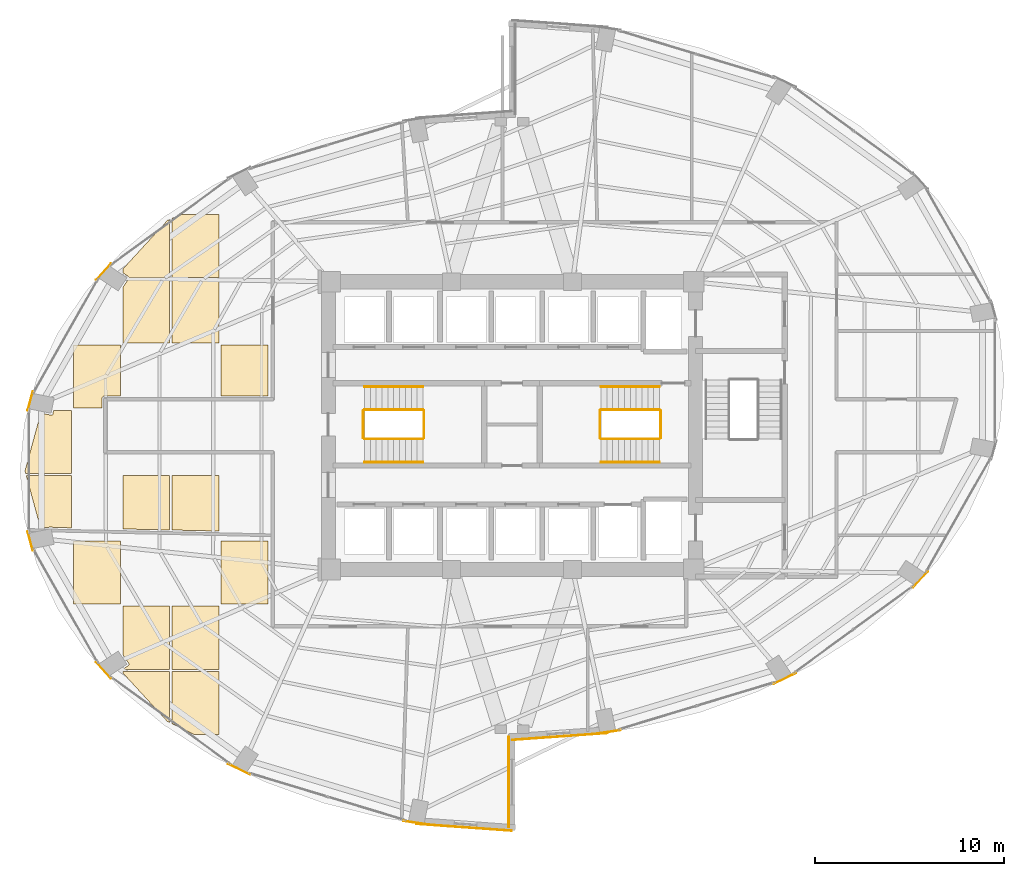
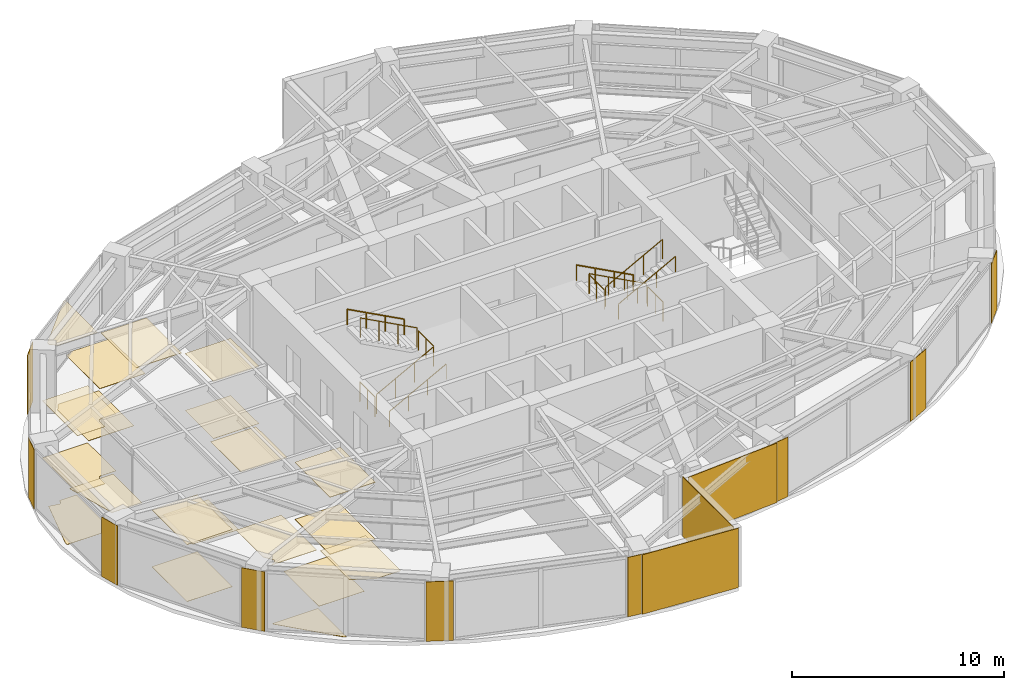
# One storey, part 22 of 23: 32 coverings, 12 railings.
"""IFC4 building model written with IfcOpenShell, lengths in metres."""

from ifc_helpers import new_model, si_unit, direction, frame, origin, origin_2d, place, context, subcontext, project, spatial, polyline, rectangle, circle, outline, extrude, material, layer, layer_set, type_object, element, save


model = new_model("IFC4")

# Units and contexts
model_context = context("Model", 3, precision=1e-05, world=origin(), true_north=direction((0.0, 1.0)))
body_context = subcontext(model_context, "Body", "Model", "MODEL_VIEW")
ifc_project = project(units=[si_unit("LENGTHUNIT", "METRE"), si_unit("AREAUNIT", "SQUARE_METRE"), si_unit("VOLUMEUNIT", "CUBIC_METRE"), si_unit("PLANEANGLEUNIT", "RADIAN"), si_unit("MASSUNIT", "GRAM", prefix="KILO")], contexts=[model_context])

# Site, building, storey
site_placement = place(None, origin())
site = spatial("IfcSite", under=ifc_project, at=site_placement, CompositionType="ELEMENT")
building_placement = place(site_placement, origin())
building = spatial("IfcBuilding", under=site, at=building_placement, Name="Lazwardi Medical Tower", CompositionType="ELEMENT")
storey_placement = place(building_placement, frame((0.0, 0.0, 107.280029296875)))
storey = spatial("IfcBuildingStorey", under=building, at=storey_placement, Name="L27", CompositionType="ELEMENT", Elevation=107.280029296875)

# Coverings
ifc_material_1 = material(Name="Anodised bronze aluminium cassette cladding", Category="aluminium")
ifc_layer_1 = layer(ifc_material_1, 0.030029296875)
ifc_layer_set_1 = layer_set([ifc_layer_1], Name="Anodised bronze aluminium cassette cladding")
covering_type_1 = type_object("IfcCoveringType", Name="COV-CLD-BRZ", PredefinedType="CLADDING", material=ifc_layer_set_1)
covering_1_placement = place(storey_placement, frame((41.064208984375, 11.80322265625, 0.0), z_axis=(0.0, 0.0, 1.0), x_axis=(0.989609019093, 0.143784523955, 0.0)))
element("IfcCovering", 1, at=covering_1_placement, inside=storey, type_object=covering_type_1, Name="L27 Mega-column bronze cassette cover M01", PredefinedType="CLADDING", context=body_context, shape_type="SweptSolid", body=[
    extrude(rectangle(XDim=1.392333984375, YDim=0.030029296875, at=origin_2d()), origin(), (0.0, 0.0, 1.0), 3.427978515625),
])
covering_2_placement = place(storey_placement, frame((50.421875, 14.634521484375, 0.0), z_axis=(0.0, 0.0, 1.0), x_axis=(0.898679250201, 0.438606435495, 0.0)))
element("IfcCovering", 2, at=covering_2_placement, inside=storey, type_object=covering_type_1, Name="L27 Mega-column bronze cassette cover M02", PredefinedType="CLADDING", context=body_context, shape_type="SweptSolid", body=[
    extrude(rectangle(XDim=1.2998046875, YDim=0.030029296875, at=origin_2d()), origin(), (0.0, 0.0, 1.0), 3.427978515625),
])
for number, where, z_axis, x_axis, name in (
    (3, (57.583740234375, 19.86572265625, 0.0), (0.0, 0.0, 1.0), (0.674925949214, 0.737885467453, 0.0), "L27 Mega-column bronze cassette cover M03"),
    (4, (14.416259765625, 36.13427734375, 0.0), (0.0, 0.0, 1.0), (-0.674925949214, -0.737885467453, 0.0), "L27 Mega-column bronze cassette cover M11"),
):
    element("IfcCovering", number, at=place(storey_placement, frame(where, z_axis=z_axis, x_axis=x_axis)), inside=storey, type_object=covering_type_1, Name=name, PredefinedType="CLADDING", context=body_context, shape_type="SweptSolid", body=[
        extrude(rectangle(XDim=1.15625, YDim=0.030029296875, at=origin_2d()), origin(), (0.0, 0.0, 1.0), 3.427978515625),
    ])
for number, where, z_axis, x_axis, name in (
    (5, (10.540283203125, 29.299072265625, 0.0), (0.0, 0.0, 1.0), (-0.262696108164, -0.964878621774, 0.0), "L27 Mega-column bronze cassette cover M12"),
    (6, (10.540283203125, 21.90087890625, 0.0), (0.0, 0.0, 1.0), (0.262696108164, -0.964878621774, 0.0), "L27 Mega-column bronze cassette cover M13"),
):
    element("IfcCovering", number, at=place(storey_placement, frame(where, z_axis=z_axis, x_axis=x_axis)), inside=storey, type_object=covering_type_1, Name=name, PredefinedType="CLADDING", context=body_context, shape_type="SweptSolid", body=[
        extrude(rectangle(XDim=1.04296875, YDim=0.030029296875, at=origin_2d()), origin(), (0.0, 0.0, 1.0), 3.427978515625),
    ])
covering_3_placement = place(storey_placement, frame((14.416259765625, 15.06591796875, 0.0), z_axis=(0.0, 0.0, 1.0), x_axis=(0.674925949214, -0.737885467453, 0.0)))
element("IfcCovering", 7, at=covering_3_placement, inside=storey, type_object=covering_type_1, Name="L27 Mega-column bronze cassette cover M14", PredefinedType="CLADDING", context=body_context, shape_type="SweptSolid", body=[
    extrude(rectangle(XDim=1.15625, YDim=0.030029296875, at=origin_2d()), origin(), (0.0, 0.0, 1.0), 3.427978515625),
])
covering_4_placement = place(storey_placement, frame((21.578125, 9.83447265625, 0.0), z_axis=(0.0, 0.0, 1.0), x_axis=(0.898679250201, -0.438606435495, 0.0)))
element("IfcCovering", 8, at=covering_4_placement, inside=storey, type_object=covering_type_1, Name="L27 Mega-column bronze cassette cover M15", PredefinedType="CLADDING", context=body_context, shape_type="SweptSolid", body=[
    extrude(rectangle(XDim=1.2998046875, YDim=0.030029296875, at=origin_2d()), origin(), (0.0, 0.0, 1.0), 3.427978515625),
])
covering_5_placement = place(storey_placement, frame((30.935791015625, 7.00341796875, 0.0), z_axis=(0.0, 0.0, 1.0), x_axis=(0.989609019093, -0.143784523955, 0.0)))
element("IfcCovering", 9, at=covering_5_placement, inside=storey, type_object=covering_type_1, Name="L27 Mega-column bronze cassette cover M16", PredefinedType="CLADDING", context=body_context, shape_type="SweptSolid", body=[
    extrude(rectangle(XDim=1.392333984375, YDim=0.030029296875, at=origin_2d()), origin(), (0.0, 0.0, 1.0), 3.427978515625),
])
ifc_material_2 = material(Name="Turquoise glazed ceramic tilework cladding", Category="masonry")
ifc_layer_2 = layer(ifc_material_2, 0.034912109375)
ifc_layer_set_2 = layer_set([ifc_layer_2], Name="Turquoise glazed ceramic tilework cladding")
covering_type_2 = type_object("IfcCoveringType", Name="COV-CLD-TRQ", PredefinedType="CLADDING", material=ifc_layer_set_2)
covering_6_placement = place(storey_placement, frame((38.533203125, 11.56591796875, 0.0), z_axis=(0.0, 0.0, 1.0), x_axis=(0.997431665415, 0.07162452672, 0.0)))
element("IfcCovering", 10, at=covering_6_placement, inside=storey, type_object=covering_type_2, Name="L27 Turquoise glazed ceramic tilework cladding", PredefinedType="CLADDING", context=body_context, shape_type="SweptSolid", body=[
    extrude(rectangle(XDim=5.05419921875, YDim=0.034912109375, at=origin_2d()), origin(), (0.0, 0.0, 1.0), 3.427978515625),
])
covering_7_placement = place(storey_placement, frame((33.466552734375, 6.76611328125, 0.0), z_axis=(0.0, 0.0, 1.0), x_axis=(0.997431165357, -0.071631490105, 0.0)))
element("IfcCovering", 11, at=covering_7_placement, inside=storey, type_object=covering_type_2, Name="L27 Turquoise glazed ceramic tilework cladding", PredefinedType="CLADDING", context=body_context, shape_type="SweptSolid", body=[
    extrude(rectangle(XDim=5.0537109375, YDim=0.034912109375, at=origin_2d()), origin(), (0.0, 0.0, 1.0), 3.427978515625),
])
covering_8_placement = place(storey_placement, frame((35.824462890625, 9.159912109375, 0.0), z_axis=(0.0, 0.0, 1.0), x_axis=(0.0, 1.0, 0.0)))
element("IfcCovering", 12, at=covering_8_placement, inside=storey, type_object=covering_type_2, Name="L27 Turquoise glazed ceramic tilework iwan panel", PredefinedType="CLADDING", context=body_context, shape_type="SweptSolid", body=[
    extrude(rectangle(XDim=4.800048828125, YDim=0.034912109375, at=origin_2d()), origin(), (0.0, 0.0, 1.0), 3.427978515625),
])
ifc_material_3 = material(Name="Acoustic mineral fibre tile")
ifc_layer_3 = layer(ifc_material_3, 0.02490234375)
ifc_layer_set_3 = layer_set([ifc_layer_3], Name="Acoustic mineral fibre tile")
covering_type_3 = type_object("IfcCoveringType", Name="COV-CLG-01", PredefinedType="CEILING", material=ifc_layer_set_3)
covering_9_placement = place(storey_placement, frame((0.0, 0.0, 3.282958984375)))
element("IfcCovering", 13, at=covering_9_placement, inside=storey, type_object=covering_type_3, Name="L27 Clinical Acoustic Ceiling 1", PredefinedType="CEILING", context=body_context, shape_type="SweptSolid", body=[
    extrude(outline(polyline([(10.33056640625, 25.352294921875), (11.0732421875, 22.630859375), (11.49560546875, 22.62158203125), (11.643798828125, 22.651123046875), (11.6513671875, 22.652099609375), (11.6591796875, 22.652587890625), (11.6669921875, 22.652099609375), (11.6748046875, 22.651123046875), (11.682373046875, 22.649169921875), (11.689697265625, 22.646484375), (11.697021484375, 22.643310546875), (11.70361328125, 22.63916015625), (11.7099609375, 22.634521484375), (11.7158203125, 22.62939453125), (11.720947265625, 22.62353515625), (11.7255859375, 22.6171875), (11.72607421875, 22.61669921875), (12.712890625, 22.59521484375), (12.712890625, 25.352294921875), (10.33056640625, 25.352294921875)])), origin(), (0.0, 0.0, 1.0), 0.02490234375),
])
covering_10_placement = place(storey_placement, frame((0.0, 0.0, 3.282958984375)))
element("IfcCovering", 14, at=covering_10_placement, inside=storey, type_object=covering_type_3, Name="L27 Clinical Acoustic Ceiling 2", PredefinedType="CEILING", context=body_context, shape_type="SweptSolid", body=[
    extrude(outline(polyline([(15.31298828125, 18.572509765625), (15.31298828125, 21.90234375), (12.8330078125, 21.90234375), (12.8330078125, 18.572509765625), (15.31298828125, 18.572509765625)])), origin(), (0.0, 0.0, 1.0), 0.02490234375),
])
covering_11_placement = place(storey_placement, frame((0.0, 0.0, 3.282958984375)))
element("IfcCovering", 15, at=covering_11_placement, inside=storey, type_object=covering_type_3, Name="L27 Clinical Acoustic Ceiling 3", PredefinedType="CEILING", context=body_context, shape_type="SweptSolid", body=[
    extrude(outline(polyline([(14.324951171875, 28.92236328125), (14.324951171875, 29.39990234375), (14.3251953125, 29.404296875), (14.32568359375, 29.41357421875), (14.326416015625, 29.42041015625), (14.32763671875, 29.4296875), (14.3291015625, 29.43798828125), (14.33154296875, 29.447265625), (14.33349609375, 29.4541015625), (14.336669921875, 29.462890625), (14.340087890625, 29.470703125), (14.343994140625, 29.479248046875), (14.34765625, 29.486083984375), (14.352294921875, 29.493896484375), (14.35693359375, 29.500732421875), (14.362548828125, 29.50830078125), (14.3671875, 29.513916015625), (14.373291015625, 29.520751953125), (14.37939453125, 29.526611328125), (14.38623046875, 29.532958984375), (14.391845703125, 29.53759765625), (14.3994140625, 29.543212890625), (14.406005859375, 29.547607421875), (14.4140625, 29.552490234375), (14.4208984375, 29.555908203125), (14.42919921875, 29.56005859375), (14.43701171875, 29.563232421875), (14.44580078125, 29.56640625), (14.452880859375, 29.568603515625), (14.4619140625, 29.57080078125), (14.47021484375, 29.572509765625), (14.4794921875, 29.57373046875), (14.486328125, 29.574462890625), (14.49560546875, 29.574951171875), (14.5, 29.574951171875), (15.31298828125, 29.574951171875), (15.31298828125, 32.25244140625), (12.8330078125, 32.25244140625), (12.8330078125, 28.92236328125), (14.324951171875, 28.92236328125)])), origin(), (0.0, 0.0, 1.0), 0.02490234375),
])
covering_12_placement = place(storey_placement, frame((0.0, 0.0, 3.282958984375)))
element("IfcCovering", 16, at=covering_12_placement, inside=storey, type_object=covering_type_3, Name="L27 Clinical Acoustic Ceiling 4", PredefinedType="CEILING", context=body_context, shape_type="SweptSolid", body=[
    extrude(outline(polyline([(15.432861328125, 15.90087890625), (15.748779296875, 15.42822265625), (15.752685546875, 15.421630859375), (15.756103515625, 15.41455078125), (15.7587890625, 15.406982421875), (15.7607421875, 15.3994140625), (15.76171875, 15.3916015625), (15.76220703125, 15.3837890625), (15.76171875, 15.376220703125), (15.7607421875, 15.368408203125), (15.7587890625, 15.360595703125), (15.756103515625, 15.353271484375), (15.752685546875, 15.34619140625), (15.748779296875, 15.339599609375), (15.743896484375, 15.3330078125), (15.73876953125, 15.327392578125), (15.73291015625, 15.322021484375), (15.7265625, 15.3173828125), (15.434814453125, 15.122314453125), (17.912841796875, 15.122314453125), (17.912841796875, 18.452392578125), (15.432861328125, 18.452392578125), (15.432861328125, 15.90087890625)])), origin(), (0.0, 0.0, 1.0), 0.02490234375),
])
covering_13_placement = place(storey_placement, frame((0.0, 0.0, 3.282958984375)))
element("IfcCovering", 17, at=covering_13_placement, inside=storey, type_object=covering_type_3, Name="L27 Clinical Acoustic Ceiling 5", PredefinedType="CEILING", context=body_context, shape_type="SweptSolid", body=[
    extrude(outline(polyline([(17.912841796875, 38.901611328125), (17.791259765625, 38.84228515625), (15.432861328125, 36.27001953125), (15.432861328125, 36.078857421875), (15.7265625, 35.882568359375), (15.73291015625, 35.8779296875), (15.73876953125, 35.872802734375), (15.743896484375, 35.866943359375), (15.748779296875, 35.860595703125), (15.752685546875, 35.853759765625), (15.756103515625, 35.8466796875), (15.7587890625, 35.83935546875), (15.7607421875, 35.831787109375), (15.76171875, 35.823974609375), (15.761962890625, 35.822509765625), (17.912841796875, 35.822509765625), (17.912841796875, 38.901611328125)])), origin(), (0.0, 0.0, 1.0), 0.02490234375),
])
covering_14_placement = place(storey_placement, frame((0.0, 0.0, 3.282958984375)))
element("IfcCovering", 18, at=covering_14_placement, inside=storey, type_object=covering_type_3, Name="L27 Clinical Acoustic Ceiling 6", PredefinedType="CEILING", context=body_context, shape_type="SweptSolid", body=[
    extrude(outline(polyline([(18.032958984375, 12.23974609375), (19.197998046875, 11.67236328125), (20.512939453125, 11.67236328125), (20.512939453125, 15.00244140625), (18.032958984375, 15.00244140625), (18.032958984375, 12.23974609375)])), origin(), (0.0, 0.0, 1.0), 0.02490234375),
])
covering_15_placement = place(storey_placement, frame((0.0, 0.0, 3.282958984375)))
element("IfcCovering", 19, at=covering_15_placement, inside=storey, type_object=covering_type_3, Name="L27 Clinical Acoustic Ceiling 7", PredefinedType="CEILING", context=body_context, shape_type="SweptSolid", body=[
    extrude(outline(polyline([(18.032958984375, 22.47998046875), (20.512939453125, 22.42626953125), (20.512939453125, 25.352294921875), (18.032958984375, 25.352294921875), (18.032958984375, 22.47998046875)])), origin(), (0.0, 0.0, 1.0), 0.02490234375),
])
covering_16_placement = place(storey_placement, frame((0.0, 0.0, 3.282958984375)))
element("IfcCovering", 20, at=covering_16_placement, inside=storey, type_object=covering_type_3, Name="L27 Clinical Acoustic Ceiling 8", PredefinedType="CEILING", context=body_context, shape_type="SweptSolid", body=[
    extrude(outline(polyline([(20.512939453125, 32.372314453125), (20.512939453125, 35.702392578125), (18.032958984375, 35.702392578125), (18.032958984375, 32.372314453125), (20.512939453125, 32.372314453125)])), origin(), (0.0, 0.0, 1.0), 0.02490234375),
])
covering_17_placement = place(storey_placement, frame((0.0, 0.0, 3.282958984375)))
element("IfcCovering", 21, at=covering_17_placement, inside=storey, type_object=covering_type_3, Name="L27 Clinical Acoustic Ceiling 9", PredefinedType="CEILING", context=body_context, shape_type="SweptSolid", body=[
    extrude(outline(polyline([(23.11279296875, 18.572509765625), (23.11279296875, 21.90234375), (20.6328125, 21.90234375), (20.6328125, 18.572509765625), (23.11279296875, 18.572509765625)])), origin(), (0.0, 0.0, 1.0), 0.02490234375),
])
covering_18_placement = place(storey_placement, frame((0.0, 0.0, 3.282958984375)))
element("IfcCovering", 22, at=covering_18_placement, inside=storey, type_object=covering_type_3, Name="L27 Clinical Acoustic Ceiling 10", PredefinedType="CEILING", context=body_context, shape_type="SweptSolid", body=[
    extrude(outline(polyline([(20.6328125, 29.574951171875), (23.11279296875, 29.574951171875), (23.11279296875, 32.25244140625), (20.6328125, 32.25244140625), (20.6328125, 29.574951171875)])), origin(), (0.0, 0.0, 1.0), 0.02490234375),
])
ifc_material_4 = material(Name="Anti-static hospital vinyl sheet flooring")
ifc_layer_4 = layer(ifc_material_4, 0.014892578125)
ifc_layer_set_4 = layer_set([ifc_layer_4], Name="Anti-static hospital vinyl sheet flooring")
covering_type_4 = type_object("IfcCoveringType", Name="COV-FLR-01", PredefinedType="FLOORING", material=ifc_layer_set_4)
covering_19_placement = place(storey_placement, origin())
element("IfcCovering", 23, at=covering_19_placement, inside=storey, type_object=covering_type_4, Name="L27 Clinical Vinyl Flooring 1", PredefinedType="FLOORING", context=body_context, shape_type="SweptSolid", body=[
    extrude(outline(polyline([(11.775634765625, 28.802490234375), (11.73779296875, 28.61181640625), (11.73583984375, 28.604248046875), (11.733154296875, 28.5966796875), (11.72998046875, 28.589599609375), (11.725830078125, 28.5830078125), (11.72119140625, 28.57666015625), (11.7158203125, 28.57080078125), (11.710205078125, 28.565673828125), (11.70361328125, 28.560791015625), (11.697021484375, 28.556884765625), (11.68994140625, 28.553466796875), (11.6826171875, 28.55078125), (11.6748046875, 28.548828125), (11.6669921875, 28.5478515625), (11.6591796875, 28.54736328125), (11.651611328125, 28.5478515625), (11.643798828125, 28.548828125), (11.097412109375, 28.65771484375), (10.262939453125, 25.60009765625), (10.297607421875, 25.472412109375), (12.712890625, 25.472412109375), (12.712890625, 28.802490234375), (11.775634765625, 28.802490234375)])), origin(), (0.0, 0.0, 1.0), 0.014892578125),
])
covering_20_placement = place(storey_placement, origin())
element("IfcCovering", 24, at=covering_20_placement, inside=storey, type_object=covering_type_4, Name="L27 Clinical Vinyl Flooring 2", PredefinedType="FLOORING", context=body_context, shape_type="SweptSolid", body=[
    extrude(outline(polyline([(15.31298828125, 18.572509765625), (15.31298828125, 21.90234375), (12.8330078125, 21.90234375), (12.8330078125, 18.572509765625), (15.31298828125, 18.572509765625)])), origin(), (0.0, 0.0, 1.0), 0.014892578125),
])
covering_21_placement = place(storey_placement, origin())
element("IfcCovering", 25, at=covering_21_placement, inside=storey, type_object=covering_type_4, Name="L27 Clinical Vinyl Flooring 3", PredefinedType="FLOORING", context=body_context, shape_type="SweptSolid", body=[
    extrude(outline(polyline([(14.324951171875, 28.92236328125), (14.324951171875, 29.39990234375), (14.3251953125, 29.404296875), (14.32568359375, 29.41357421875), (14.326416015625, 29.42041015625), (14.32763671875, 29.4296875), (14.3291015625, 29.43798828125), (14.33154296875, 29.447265625), (14.33349609375, 29.4541015625), (14.336669921875, 29.462890625), (14.340087890625, 29.470703125), (14.343994140625, 29.479248046875), (14.34765625, 29.486083984375), (14.352294921875, 29.493896484375), (14.35693359375, 29.500732421875), (14.362548828125, 29.50830078125), (14.3671875, 29.513916015625), (14.373291015625, 29.520751953125), (14.37939453125, 29.526611328125), (14.38623046875, 29.532958984375), (14.391845703125, 29.53759765625), (14.3994140625, 29.543212890625), (14.406005859375, 29.547607421875), (14.4140625, 29.552490234375), (14.4208984375, 29.555908203125), (14.42919921875, 29.56005859375), (14.43701171875, 29.563232421875), (14.44580078125, 29.56640625), (14.452880859375, 29.568603515625), (14.4619140625, 29.57080078125), (14.47021484375, 29.572509765625), (14.4794921875, 29.57373046875), (14.486328125, 29.574462890625), (14.49560546875, 29.574951171875), (14.5, 29.574951171875), (15.31298828125, 29.574951171875), (15.31298828125, 32.25244140625), (12.8330078125, 32.25244140625), (12.8330078125, 28.92236328125), (14.324951171875, 28.92236328125)])), origin(), (0.0, 0.0, 1.0), 0.014892578125),
])
covering_22_placement = place(storey_placement, origin())
element("IfcCovering", 26, at=covering_22_placement, inside=storey, type_object=covering_type_4, Name="L27 Clinical Vinyl Flooring 4", PredefinedType="FLOORING", context=body_context, shape_type="SweptSolid", body=[
    extrude(outline(polyline([(15.432861328125, 14.93017578125), (17.791259765625, 12.357666015625), (17.912841796875, 12.29833984375), (17.912841796875, 15.00244140625), (15.432861328125, 15.00244140625), (15.432861328125, 14.93017578125)])), origin(), (0.0, 0.0, 1.0), 0.014892578125),
])
covering_23_placement = place(storey_placement, origin())
element("IfcCovering", 27, at=covering_23_placement, inside=storey, type_object=covering_type_4, Name="L27 Clinical Vinyl Flooring 5", PredefinedType="FLOORING", context=body_context, shape_type="SweptSolid", body=[
    extrude(outline(polyline([(15.432861328125, 22.536376953125), (17.912841796875, 22.482666015625), (17.912841796875, 25.352294921875), (15.432861328125, 25.352294921875), (15.432861328125, 22.536376953125)])), origin(), (0.0, 0.0, 1.0), 0.014892578125),
])
covering_24_placement = place(storey_placement, origin())
element("IfcCovering", 28, at=covering_24_placement, inside=storey, type_object=covering_type_4, Name="L27 Clinical Vinyl Flooring 6", PredefinedType="FLOORING", context=body_context, shape_type="SweptSolid", body=[
    extrude(outline(polyline([(15.702392578125, 35.702392578125), (15.432861328125, 35.299072265625), (15.432861328125, 32.372314453125), (17.912841796875, 32.372314453125), (17.912841796875, 35.702392578125), (15.702392578125, 35.702392578125)])), origin(), (0.0, 0.0, 1.0), 0.014892578125),
])
covering_25_placement = place(storey_placement, origin())
element("IfcCovering", 29, at=covering_25_placement, inside=storey, type_object=covering_type_4, Name="L27 Clinical Vinyl Flooring 7", PredefinedType="FLOORING", context=body_context, shape_type="SweptSolid", body=[
    extrude(outline(polyline([(20.512939453125, 15.122314453125), (20.512939453125, 18.452392578125), (18.032958984375, 18.452392578125), (18.032958984375, 15.122314453125), (20.512939453125, 15.122314453125)])), origin(), (0.0, 0.0, 1.0), 0.014892578125),
])
covering_26_placement = place(storey_placement, origin())
element("IfcCovering", 30, at=covering_26_placement, inside=storey, type_object=covering_type_4, Name="L27 Clinical Vinyl Flooring 8", PredefinedType="FLOORING", context=body_context, shape_type="SweptSolid", body=[
    extrude(outline(polyline([(18.427734375, 39.15234375), (18.032958984375, 38.960205078125), (18.032958984375, 35.822509765625), (20.512939453125, 35.822509765625), (20.512939453125, 39.15234375), (18.427734375, 39.15234375)])), origin(), (0.0, 0.0, 1.0), 0.014892578125),
])
covering_27_placement = place(storey_placement, origin())
element("IfcCovering", 31, at=covering_27_placement, inside=storey, type_object=covering_type_4, Name="L27 Clinical Vinyl Flooring 9", PredefinedType="FLOORING", context=body_context, shape_type="SweptSolid", body=[
    extrude(outline(polyline([(23.11279296875, 18.572509765625), (23.11279296875, 21.90234375), (20.6328125, 21.90234375), (20.6328125, 18.572509765625), (23.11279296875, 18.572509765625)])), origin(), (0.0, 0.0, 1.0), 0.014892578125),
])
covering_28_placement = place(storey_placement, origin())
element("IfcCovering", 32, at=covering_28_placement, inside=storey, type_object=covering_type_4, Name="L27 Clinical Vinyl Flooring 10", PredefinedType="FLOORING", context=body_context, shape_type="SweptSolid", body=[
    extrude(outline(polyline([(20.6328125, 29.574951171875), (23.11279296875, 29.574951171875), (23.11279296875, 32.25244140625), (20.6328125, 32.25244140625), (20.6328125, 29.574951171875)])), origin(), (0.0, 0.0, 1.0), 0.014892578125),
])

# Railings
ifc_material_5 = material(Name="Stainless steel Grade 316", Category="steel")
railing_type_1 = type_object("IfcRailingType", Name="RLG-GRD-1150", PredefinedType="GUARDRAIL", material=ifc_material_5)
railing_1_placement = place(storey_placement, frame((28.199951171875, 27.2900390625, 0.165771484375)))
element("IfcRailing", 33, at=railing_1_placement, inside=storey, type_object=railing_type_1, Name="L27 ST1 stair guard 1", PredefinedType="GUARDRAIL", context=body_context, shape_type="SweptSolid", body=[
    extrude(circle(Radius=0.02392578125, at=origin_2d()), frame((0.0, 0.0, 1.1259765625), z_axis=(0.881783298633, 0.0, 0.471654761719), x_axis=(0.0, 1.0, 0.0)), (0.0, 0.0, 1.0), 3.515625),
    extrude(circle(Radius=0.02099609375, at=origin_2d()), origin(), (0.0, 0.0, 1.0), 1.099853515625),
    extrude(circle(Radius=0.02099609375, at=origin_2d()), frame((1.033447265625, 0.0, 0.552734375)), (0.0, 0.0, 1.0), 1.099853515625),
    extrude(circle(Radius=0.02099609375, at=origin_2d()), frame((2.066650390625, 0.0, 1.10546875)), (0.0, 0.0, 1.0), 1.099853515625),
    extrude(circle(Radius=0.02099609375, at=origin_2d()), frame((3.10009765625, 0.0, 1.658203125)), (0.0, 0.0, 1.0), 1.099853515625),
])
railing_2_placement = place(storey_placement, frame((31.35009765625, 27.340087890625, 1.823974609375)))
element("IfcRailing", 34, at=railing_2_placement, inside=storey, type_object=railing_type_1, Name="L27 ST1 stair guard 2", PredefinedType="GUARDRAIL", context=body_context, shape_type="SweptSolid", body=[
    extrude(circle(Radius=0.02392578125, at=origin_2d()), frame((0.0, 0.0, 1.1259765625), z_axis=(0.0, 1.0, 0.0), x_axis=(-1.0, 0.0, 0.0)), (0.0, 0.0, 1.0), 1.43994140625),
    extrude(circle(Radius=0.02099609375, at=origin_2d()), origin(), (0.0, 0.0, 1.0), 1.099853515625),
    extrude(circle(Radius=0.02099609375, at=origin_2d()), frame((0.0, 0.719970703125, 0.0)), (0.0, 0.0, 1.0), 1.099853515625),
    extrude(circle(Radius=0.02099609375, at=origin_2d()), frame((0.0, 1.43994140625, 0.0)), (0.0, 0.0, 1.0), 1.099853515625),
])
railing_3_placement = place(storey_placement, frame((31.300048828125, 28.830078125, 1.98974609375)))
element("IfcRailing", 35, at=railing_3_placement, inside=storey, type_object=railing_type_1, Name="L27 ST1 stair guard 3", PredefinedType="GUARDRAIL", context=body_context, shape_type="SweptSolid", body=[
    extrude(circle(Radius=0.02392578125, at=origin_2d()), frame((0.0, 0.0, 1.1259765625), z_axis=(-0.881783298633, 0.0, 0.471654761719), x_axis=(0.0, -1.0, 0.0)), (0.0, 0.0, 1.0), 3.515625),
    extrude(circle(Radius=0.02099609375, at=origin_2d()), origin(), (0.0, 0.0, 1.0), 1.099853515625),
    extrude(circle(Radius=0.02099609375, at=origin_2d()), frame((-1.033447265625, 0.0, 0.552734375)), (0.0, 0.0, 1.0), 1.099853515625),
    extrude(circle(Radius=0.02099609375, at=origin_2d()), frame((-2.066650390625, 0.0, 1.10546875)), (0.0, 0.0, 1.0), 1.099853515625),
    extrude(circle(Radius=0.02099609375, at=origin_2d()), frame((-3.10009765625, 0.0, 1.658203125)), (0.0, 0.0, 1.0), 1.099853515625),
])
railing_4_placement = place(storey_placement, frame((28.14990234375, 27.340087890625, 0.0)))
element("IfcRailing", 36, at=railing_4_placement, inside=storey, type_object=railing_type_1, Name="L27 ST1 stair guard 4", PredefinedType="GUARDRAIL", context=body_context, shape_type="SweptSolid", body=[
    extrude(circle(Radius=0.02392578125, at=origin_2d()), frame((0.0, 0.0, 1.1259765625), z_axis=(0.0, 1.0, 0.0), x_axis=(-1.0, 0.0, 0.0)), (0.0, 0.0, 1.0), 1.43994140625),
    extrude(circle(Radius=0.02099609375, at=origin_2d()), origin(), (0.0, 0.0, 1.0), 1.099853515625),
    extrude(circle(Radius=0.02099609375, at=origin_2d()), frame((0.0, 0.719970703125, 0.0)), (0.0, 0.0, 1.0), 1.099853515625),
    extrude(circle(Radius=0.02099609375, at=origin_2d()), frame((0.0, 1.43994140625, 0.0)), (0.0, 0.0, 1.0), 1.099853515625),
])
railing_5_placement = place(storey_placement, frame((43.800048828125, 28.830078125, 0.165771484375)))
element("IfcRailing", 37, at=railing_5_placement, inside=storey, type_object=railing_type_1, Name="L27 ST2 stair guard 1", PredefinedType="GUARDRAIL", context=body_context, shape_type="SweptSolid", body=[
    extrude(circle(Radius=0.02392578125, at=origin_2d()), frame((0.0, 0.0, 1.1259765625), z_axis=(-0.881783298633, 0.0, 0.471654761719), x_axis=(0.0, -1.0, 0.0)), (0.0, 0.0, 1.0), 3.515625),
    extrude(circle(Radius=0.02099609375, at=origin_2d()), origin(), (0.0, 0.0, 1.0), 1.099853515625),
    extrude(circle(Radius=0.02099609375, at=origin_2d()), frame((-1.033447265625, 0.0, 0.552734375)), (0.0, 0.0, 1.0), 1.099853515625),
    extrude(circle(Radius=0.02099609375, at=origin_2d()), frame((-2.066650390625, 0.0, 1.10546875)), (0.0, 0.0, 1.0), 1.099853515625),
    extrude(circle(Radius=0.02099609375, at=origin_2d()), frame((-3.10009765625, 0.0, 1.658203125)), (0.0, 0.0, 1.0), 1.099853515625),
])
railing_6_placement = place(storey_placement, frame((40.64990234375, 28.780029296875, 1.823974609375)))
element("IfcRailing", 38, at=railing_6_placement, inside=storey, type_object=railing_type_1, Name="L27 ST2 stair guard 2", PredefinedType="GUARDRAIL", context=body_context, shape_type="SweptSolid", body=[
    extrude(circle(Radius=0.02392578125, at=origin_2d()), frame((0.0, 0.0, 1.1259765625), z_axis=(0.0, -1.0, 0.0), x_axis=(1.0, 0.0, 0.0)), (0.0, 0.0, 1.0), 1.43994140625),
    extrude(circle(Radius=0.02099609375, at=origin_2d()), origin(), (0.0, 0.0, 1.0), 1.099853515625),
    extrude(circle(Radius=0.02099609375, at=origin_2d()), frame((0.0, -0.719970703125, 0.0)), (0.0, 0.0, 1.0), 1.099853515625),
    extrude(circle(Radius=0.02099609375, at=origin_2d()), frame((0.0, -1.43994140625, 0.0)), (0.0, 0.0, 1.0), 1.099853515625),
])
railing_7_placement = place(storey_placement, frame((40.699951171875, 27.2900390625, 1.98974609375)))
element("IfcRailing", 39, at=railing_7_placement, inside=storey, type_object=railing_type_1, Name="L27 ST2 stair guard 3", PredefinedType="GUARDRAIL", context=body_context, shape_type="SweptSolid", body=[
    extrude(circle(Radius=0.02392578125, at=origin_2d()), frame((0.0, 0.0, 1.1259765625), z_axis=(0.881783298633, 0.0, 0.471654761719), x_axis=(0.0, 1.0, 0.0)), (0.0, 0.0, 1.0), 3.515625),
    extrude(circle(Radius=0.02099609375, at=origin_2d()), origin(), (0.0, 0.0, 1.0), 1.099853515625),
    extrude(circle(Radius=0.02099609375, at=origin_2d()), frame((1.033447265625, 0.0, 0.552734375)), (0.0, 0.0, 1.0), 1.099853515625),
    extrude(circle(Radius=0.02099609375, at=origin_2d()), frame((2.066650390625, 0.0, 1.10546875)), (0.0, 0.0, 1.0), 1.099853515625),
    extrude(circle(Radius=0.02099609375, at=origin_2d()), frame((3.10009765625, 0.0, 1.658203125)), (0.0, 0.0, 1.0), 1.099853515625),
])
railing_8_placement = place(storey_placement, frame((43.85009765625, 28.780029296875, 0.0)))
element("IfcRailing", 40, at=railing_8_placement, inside=storey, type_object=railing_type_1, Name="L27 ST2 stair guard 4", PredefinedType="GUARDRAIL", context=body_context, shape_type="SweptSolid", body=[
    extrude(circle(Radius=0.02392578125, at=origin_2d()), frame((0.0, 0.0, 1.1259765625), z_axis=(0.0, -1.0, 0.0), x_axis=(1.0, 0.0, 0.0)), (0.0, 0.0, 1.0), 1.43994140625),
    extrude(circle(Radius=0.02099609375, at=origin_2d()), origin(), (0.0, 0.0, 1.0), 1.099853515625),
    extrude(circle(Radius=0.02099609375, at=origin_2d()), frame((0.0, -0.719970703125, 0.0)), (0.0, 0.0, 1.0), 1.099853515625),
    extrude(circle(Radius=0.02099609375, at=origin_2d()), frame((0.0, -1.43994140625, 0.0)), (0.0, 0.0, 1.0), 1.099853515625),
])
railing_type_2 = type_object("IfcRailingType", Name="RLG-HND-920", PredefinedType="HANDRAIL", material=ifc_material_5)
railing_9_placement = place(storey_placement, frame((28.199951171875, 26.070068359375, 0.165771484375)))
element("IfcRailing", 41, at=railing_9_placement, inside=storey, type_object=railing_type_2, Name="L27 ST1 stair handrail 1", PredefinedType="HANDRAIL", context=body_context, shape_type="SweptSolid", body=[
    extrude(circle(Radius=0.02392578125, at=origin_2d()), frame((0.0, 0.0, 0.8857421875), z_axis=(0.881783298633, 0.0, 0.471654761719), x_axis=(0.0, 1.0, 0.0)), (0.0, 0.0, 1.0), 3.515625),
    extrude(circle(Radius=0.02099609375, at=origin_2d()), origin(), (0.0, 0.0, 1.0), 0.85986328125),
    extrude(circle(Radius=0.02099609375, at=origin_2d()), frame((1.033447265625, 0.0, 0.552734375)), (0.0, 0.0, 1.0), 0.85986328125),
    extrude(circle(Radius=0.02099609375, at=origin_2d()), frame((2.066650390625, 0.0, 1.10546875)), (0.0, 0.0, 1.0), 0.85986328125),
    extrude(circle(Radius=0.02099609375, at=origin_2d()), frame((3.10009765625, 0.0, 1.658203125)), (0.0, 0.0, 1.0), 0.85986328125),
])
for number, where, name in (
    (42, (31.300048828125, 30.050048828125, 1.98974609375), "L27 ST1 stair handrail 2"),
    (43, (43.800048828125, 30.050048828125, 0.165771484375), "L27 ST2 stair handrail 1"),
):
    element("IfcRailing", number, at=place(storey_placement, frame(where)), inside=storey, type_object=railing_type_2, Name=name, PredefinedType="HANDRAIL", context=body_context, shape_type="SweptSolid", body=[
        extrude(circle(Radius=0.02392578125, at=origin_2d()), frame((0.0, 0.0, 0.8857421875), z_axis=(-0.881783298633, 0.0, 0.471654761719), x_axis=(0.0, -1.0, 0.0)), (0.0, 0.0, 1.0), 3.515625),
        extrude(circle(Radius=0.02099609375, at=origin_2d()), origin(), (0.0, 0.0, 1.0), 0.85986328125),
        extrude(circle(Radius=0.02099609375, at=origin_2d()), frame((-1.033447265625, 0.0, 0.552734375)), (0.0, 0.0, 1.0), 0.85986328125),
        extrude(circle(Radius=0.02099609375, at=origin_2d()), frame((-2.066650390625, 0.0, 1.10546875)), (0.0, 0.0, 1.0), 0.85986328125),
        extrude(circle(Radius=0.02099609375, at=origin_2d()), frame((-3.10009765625, 0.0, 1.658203125)), (0.0, 0.0, 1.0), 0.85986328125),
    ])
railing_10_placement = place(storey_placement, frame((40.699951171875, 26.070068359375, 1.98974609375)))
element("IfcRailing", 44, at=railing_10_placement, inside=storey, type_object=railing_type_2, Name="L27 ST2 stair handrail 2", PredefinedType="HANDRAIL", context=body_context, shape_type="SweptSolid", body=[
    extrude(circle(Radius=0.02392578125, at=origin_2d()), frame((0.0, 0.0, 0.8857421875), z_axis=(0.881783298633, 0.0, 0.471654761719), x_axis=(0.0, 1.0, 0.0)), (0.0, 0.0, 1.0), 3.515625),
    extrude(circle(Radius=0.02099609375, at=origin_2d()), origin(), (0.0, 0.0, 1.0), 0.85986328125),
    extrude(circle(Radius=0.02099609375, at=origin_2d()), frame((1.033447265625, 0.0, 0.552734375)), (0.0, 0.0, 1.0), 0.85986328125),
    extrude(circle(Radius=0.02099609375, at=origin_2d()), frame((2.066650390625, 0.0, 1.10546875)), (0.0, 0.0, 1.0), 0.85986328125),
    extrude(circle(Radius=0.02099609375, at=origin_2d()), frame((3.10009765625, 0.0, 1.658203125)), (0.0, 0.0, 1.0), 0.85986328125),
])

save(model, "model.ifc")
